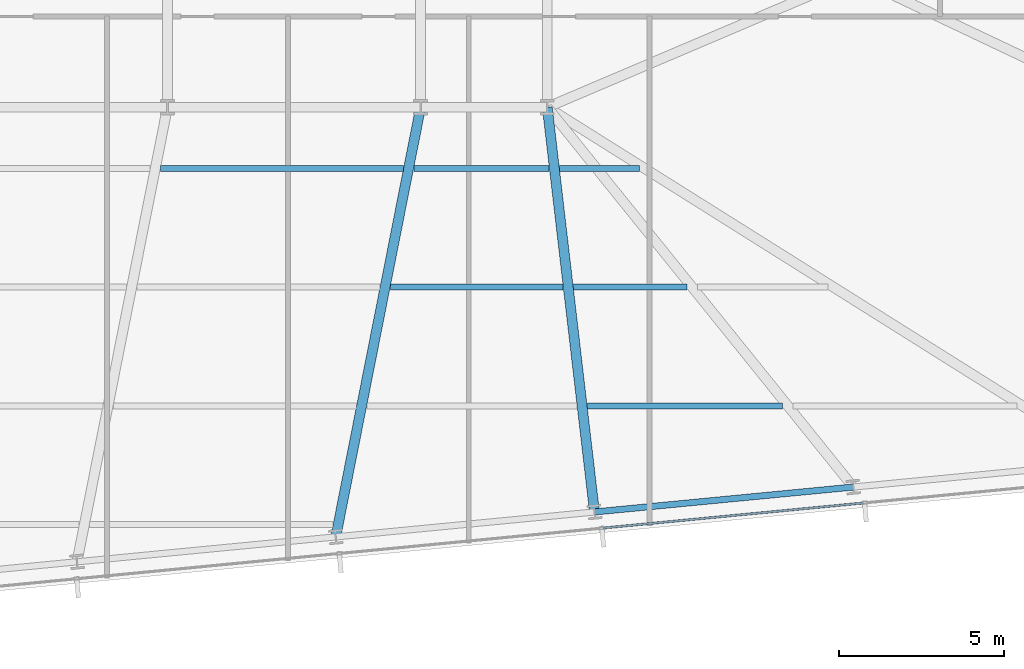
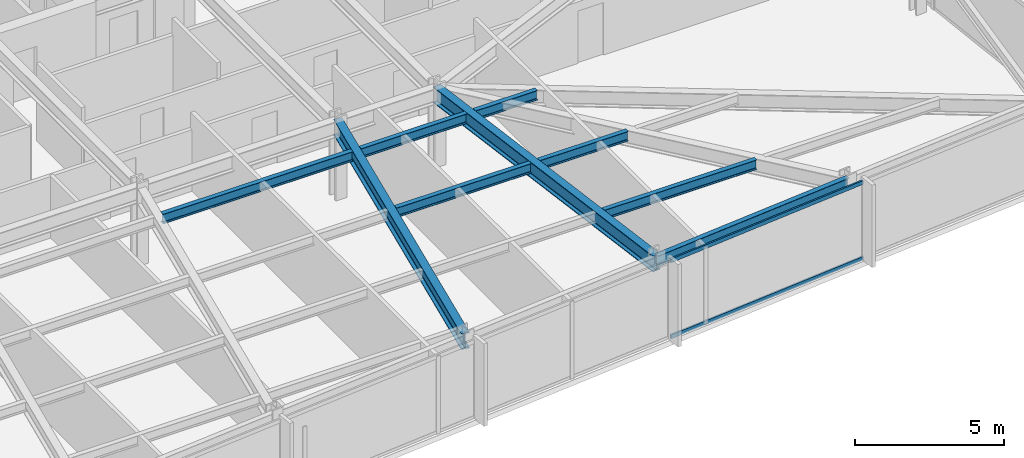
# One storey, part 11 of 32: 9 beams, 2 members, 1 element without a shape of its own.
"""IFC4 building model written with IfcOpenShell, lengths in metres."""

from ifc_helpers import new_model, si_unit, direction, frame, origin, origin_2d, place, context, subcontext, project, spatial, hollow_rectangle, i_section, extrude, material, material_profile, profile_set, type_object, element, aggregate, save


model = new_model("IFC4")

# Units and contexts
model_context = context("Model", 3, precision=1e-05, world=origin(), true_north=direction((0.0, 1.0)))
body_context = subcontext(model_context, "Body", "Model", "MODEL_VIEW")
ifc_project = project(units=[si_unit("LENGTHUNIT", "METRE"), si_unit("AREAUNIT", "SQUARE_METRE"), si_unit("VOLUMEUNIT", "CUBIC_METRE"), si_unit("PLANEANGLEUNIT", "RADIAN"), si_unit("MASSUNIT", "GRAM", prefix="KILO")], contexts=[model_context])

# Site, building, storey
site_placement = place(None, origin())
site = spatial("IfcSite", under=ifc_project, at=site_placement, CompositionType="ELEMENT")
building_placement = place(site_placement, origin())
building = spatial("IfcBuilding", under=site, at=building_placement, Name="Yelkora Congress Tower", CompositionType="ELEMENT")
storey_placement = place(building_placement, frame((0.0, 0.0, 130.5)))
storey = spatial("IfcBuildingStorey", under=building, at=storey_placement, Name="L35", CompositionType="ELEMENT", Elevation=130.5)

# Beams
ifc_material_1 = material(Name="Steel S355J2", Category="steel")
ifc_material_profile_1 = material_profile(ifc_material_1, i_section(OverallWidth=0.300048828125, OverallDepth=0.64990234375, WebThickness=0.01611328125, FlangeThickness=0.031005859375, FilletRadius=0.027099609375, at=origin_2d()), Name="HEB 650")
ifc_profile_set_1 = profile_set([ifc_material_profile_1], Name="Steel S355J2")
beam_type_1 = type_object("IfcBeamType", Name="BM-GIRD-HEB650", PredefinedType="BEAM", material=ifc_profile_set_1)
beam_1_placement = place(storey_placement, frame((51.18359375, 12.16748046875, 2.85498046875), z_axis=(0.193938615251, 0.981013666324, 0.0), x_axis=(-0.981013666324, 0.193938615251, 0.0)))
element("IfcBeam", 1, at=beam_1_placement, inside=storey, type_object=beam_type_1, Name="L35 Primary Frame Girder S05", PredefinedType="BEAM", context=body_context, shape_type="SweptSolid", body=[
    extrude(i_section(OverallWidth=0.300048828125, OverallDepth=0.64990234375, WebThickness=0.01611328125, FlangeThickness=0.031005859375, FilletRadius=0.027099609375, at=origin_2d()), origin(), (0.0, 0.0, 1.0), 13.28466796875),
])
beam_2_placement = place(storey_placement, frame((59.033203125, 12.92333984375, 2.85498046875), z_axis=(-0.115947280821, 0.993255369011, 0.0), x_axis=(-0.993255369011, -0.115947280821, 0.0)))
element("IfcBeam", 2, at=beam_2_placement, inside=storey, type_object=beam_type_1, Name="L35 Primary Frame Girder S06", PredefinedType="BEAM", context=body_context, shape_type="SweptSolid", body=[
    extrude(i_section(OverallWidth=0.300048828125, OverallDepth=0.64990234375, WebThickness=0.01611328125, FlangeThickness=0.031005859375, FilletRadius=0.027099609375, at=origin_2d()), origin(), (0.0, 0.0, 1.0), 12.35986328125),
])
ifc_material_profile_2 = material_profile(ifc_material_1, i_section(OverallWidth=0.179931640625, OverallDepth=0.39990234375, WebThickness=0.008544921875, FlangeThickness=0.013427734375, FilletRadius=0.02099609375, at=origin_2d()), Name="IPE 400")
ifc_profile_set_2 = profile_set([ifc_material_profile_2], Name="Steel S355J2")
beam_type_2 = type_object("IfcBeamType", Name="BM-JOIST-IPE400", PredefinedType="JOIST", material=ifc_profile_set_2)
beam_3_placement = place(storey_placement, frame((58.817138671875, 16.144287109375, 2.97998046875), z_axis=(1.0, 0.0, 0.0), x_axis=(0.0, 1.0, 0.0)))
element("IfcBeam", 3, at=beam_3_placement, inside=storey, type_object=beam_type_2, Name="L35 Composite Floor Joist 9", PredefinedType="JOIST", context=body_context, shape_type="SweptSolid", body=[
    extrude(i_section(OverallWidth=0.179931640625, OverallDepth=0.39990234375, WebThickness=0.008544921875, FlangeThickness=0.013427734375, FilletRadius=0.02099609375, at=origin_2d()), origin(), (0.0, 0.0, 1.0), 5.919189453125),
])
beam_4_placement = place(storey_placement, frame((52.841552734375, 19.744384765625, 2.97998046875), z_axis=(1.0, 0.0, 0.0), x_axis=(0.0, 1.0, 0.0)))
element("IfcBeam", 4, at=beam_4_placement, inside=storey, type_object=beam_type_2, Name="L35 Composite Floor Joist 15", PredefinedType="JOIST", context=body_context, shape_type="SweptSolid", body=[
    extrude(i_section(OverallWidth=0.179931640625, OverallDepth=0.39990234375, WebThickness=0.008544921875, FlangeThickness=0.013427734375, FilletRadius=0.02099609375, at=origin_2d()), origin(), (0.0, 0.0, 1.0), 5.2353515625),
])
beam_5_placement = place(storey_placement, frame((58.39697265625, 19.744384765625, 2.97998046875), z_axis=(1.0, 0.0, 0.0), x_axis=(0.0, 1.0, 0.0)))
element("IfcBeam", 5, at=beam_5_placement, inside=storey, type_object=beam_type_2, Name="L35 Composite Floor Joist 16", PredefinedType="JOIST", context=body_context, shape_type="SweptSolid", body=[
    extrude(i_section(OverallWidth=0.179931640625, OverallDepth=0.39990234375, WebThickness=0.008544921875, FlangeThickness=0.013427734375, FilletRadius=0.02099609375, at=origin_2d()), origin(), (0.0, 0.0, 1.0), 3.438720703125),
])
beam_6_placement = place(storey_placement, frame((45.87060546875, 23.344482421875, 2.97998046875), z_axis=(1.0, 0.0, 0.0), x_axis=(0.0, 1.0, 0.0)))
element("IfcBeam", 6, at=beam_6_placement, inside=storey, type_object=beam_type_2, Name="L35 Composite Floor Joist 21", PredefinedType="JOIST", context=body_context, shape_type="SweptSolid", body=[
    extrude(i_section(OverallWidth=0.179931640625, OverallDepth=0.39990234375, WebThickness=0.008544921875, FlangeThickness=0.013427734375, FilletRadius=0.02099609375, at=origin_2d()), origin(), (0.0, 0.0, 1.0), 7.362548828125),
])
beam_7_placement = place(storey_placement, frame((53.55322265625, 23.344482421875, 2.97998046875), z_axis=(1.0, 0.0, 0.0), x_axis=(0.0, 1.0, 0.0)))
element("IfcBeam", 7, at=beam_7_placement, inside=storey, type_object=beam_type_2, Name="L35 Composite Floor Joist 22", PredefinedType="JOIST", context=body_context, shape_type="SweptSolid", body=[
    extrude(i_section(OverallWidth=0.179931640625, OverallDepth=0.39990234375, WebThickness=0.008544921875, FlangeThickness=0.013427734375, FilletRadius=0.02099609375, at=origin_2d()), origin(), (0.0, 0.0, 1.0), 4.103271484375),
])
beam_8_placement = place(storey_placement, frame((57.9765625, 23.344482421875, 2.97998046875), z_axis=(1.0, 0.0, 0.0), x_axis=(0.0, 1.0, 0.0)))
element("IfcBeam", 8, at=beam_8_placement, inside=storey, type_object=beam_type_2, Name="L35 Composite Floor Joist 23", PredefinedType="JOIST", context=body_context, shape_type="SweptSolid", body=[
    extrude(i_section(OverallWidth=0.179931640625, OverallDepth=0.39990234375, WebThickness=0.008544921875, FlangeThickness=0.013427734375, FilletRadius=0.02099609375, at=origin_2d()), origin(), (0.0, 0.0, 1.0), 2.41650390625),
])
ifc_material_profile_3 = material_profile(ifc_material_1, i_section(OverallWidth=0.18994140625, OverallDepth=0.449951171875, WebThickness=0.009521484375, FlangeThickness=0.0146484375, FilletRadius=0.02099609375, at=origin_2d()), Name="IPE 450")
ifc_profile_set_3 = profile_set([ifc_material_profile_3], Name="Steel S355J2")
beam_type_3 = type_object("IfcBeamType", Name="BM-SPAN-IPE450", PredefinedType="SPANDREL", material=ifc_profile_set_3)
beam_9_placement = place(storey_placement, frame((59.033203125, 12.92333984375, 2.955078125), z_axis=(0.995395575667, 0.095852219286, 0.0), x_axis=(-0.095852219286, 0.995395575667, 0.0)))
element("IfcBeam", 9, at=beam_9_placement, inside=storey, type_object=beam_type_3, Name="L35 Perimeter Beam 8", PredefinedType="SPANDREL", context=body_context, shape_type="SweptSolid", body=[
    extrude(i_section(OverallWidth=0.18994140625, OverallDepth=0.449951171875, WebThickness=0.009521484375, FlangeThickness=0.0146484375, FilletRadius=0.02099609375, at=origin_2d()), origin(), (0.0, 0.0, 1.0), 7.8857421875),
])

# Curtain wall, members
ifc_material_2 = material(Name="Anodised aluminium and insulated glass", Category="aluminium")
curtain_wall_type = type_object("IfcCurtainWallType", Name="CW-SYS-B2", PredefinedType="NOTDEFINED", material=ifc_material_2)
curtain_wall_placement = place(storey_placement, origin())
curtain_wall = element("IfcCurtainWall", 10, at=curtain_wall_placement, inside=storey, type_object=curtain_wall_type, Name="L35 Unitised Curtain Wall 20", PredefinedType="NOTDEFINED")
ifc_material_3 = material(Name="Anodised aluminium 6063-T6", Category="aluminium")
ifc_material_profile_4 = material_profile(ifc_material_3, hollow_rectangle(XDim=0.06494140625, YDim=0.159912109375, WallThickness=0.00390625, at=origin_2d()), Name="ALU 65x160x4")
ifc_profile_set_4 = profile_set([ifc_material_profile_4], Name="Anodised aluminium 6063-T6")
member_type = type_object("IfcMemberType", Name="MEM-TR-B2", PredefinedType="USERDEFINED", material=ifc_profile_set_4)
member_1_placement = place(storey_placement, frame((67.18798828125, 13.1962890625, 0.032470703125), z_axis=(-0.995397293396, -0.095834379534, 0.0), x_axis=(0.095834379534, -0.995397293396, 0.0)))
member_1 = element("IfcMember", 11, at=member_1_placement, type_object=member_type, Name="CW-B2 transom 2.1", ObjectType="TRANSOM", PredefinedType="USERDEFINED", context=body_context, shape_type="SweptSolid", body=[
    extrude(hollow_rectangle(XDim=0.06494140625, YDim=0.159912109375, WallThickness=0.00390625, at=origin_2d()), origin(), (0.0, 0.0, 1.0), 7.93310546875),
])
member_2_placement = place(storey_placement, frame((67.18798828125, 13.1962890625, 3.1474609375), z_axis=(-0.995397293396, -0.095834379534, 0.0), x_axis=(0.095834379534, -0.995397293396, 0.0)))
member_2 = element("IfcMember", 12, at=member_2_placement, type_object=member_type, Name="CW-B2 transom 2.2", ObjectType="TRANSOM", PredefinedType="USERDEFINED", context=body_context, shape_type="SweptSolid", body=[
    extrude(hollow_rectangle(XDim=0.06494140625, YDim=0.159912109375, WallThickness=0.00390625, at=origin_2d()), origin(), (0.0, 0.0, 1.0), 7.93310546875),
])
aggregate(curtain_wall, [member_1, member_2])

save(model, "model.ifc")
